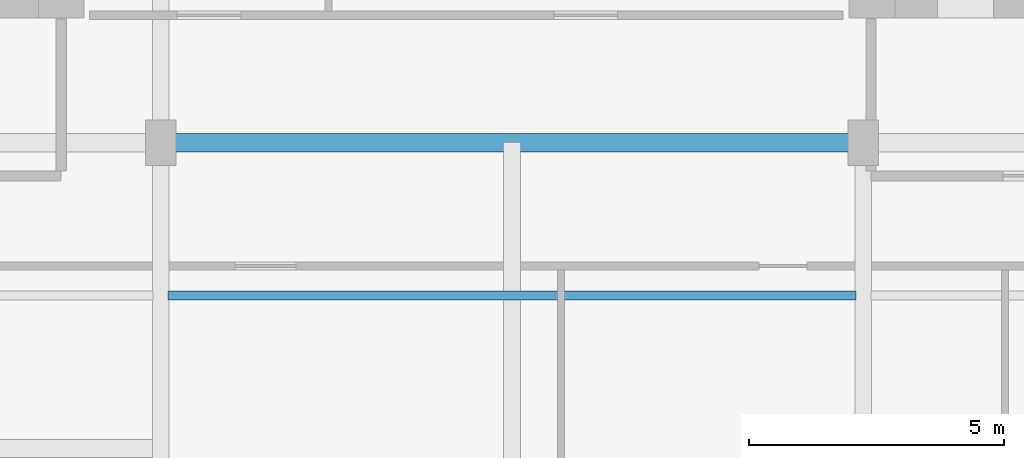
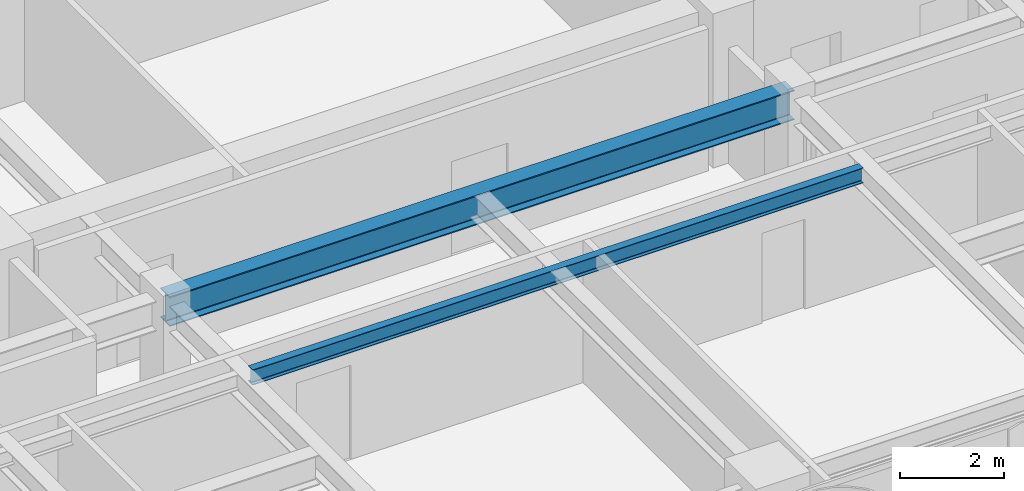
# One storey, part 6 of 25: 2 beams.
"""IFC4 building model written with IfcOpenShell, lengths in metres."""

import ifcopenshell
import ifcopenshell.guid

model = None  # the IFC model being written
_history = None  # IfcOwnerHistory: only IFC2X3 demands one
_inside = {}  # id of a spatial element -> (the spatial element, [elements in it])
_under = {}  # id of a project, library or spatial element -> (it, [spatial elements below it])
_declared = {}  # id of a project -> (the project, [libraries it declares])
_typed = {}  # id of a type object -> (the type object, [elements of that type])
_made_of = {}  # id of a material, layer set ... -> (it, [elements and type objects made of it])


def new_model(schema):
    """Start an empty IFC model of exactly this schema.

    Asked for "IFC4X3", IfcOpenShell would pick the latest addendum, in which some entities
    have other attributes; the version numbers below select the first issue.
    IFC2X3 requires an IfcOwnerHistory on every rooted entity: one is made here for all.
    """
    global model, _history
    if schema == "IFC4X3":
        model = ifcopenshell.file(schema_version=(4, 3, 0, 0))
    else:
        model = ifcopenshell.file(schema=schema)
    _inside.clear()
    _under.clear()
    _declared.clear()
    _typed.clear()
    _made_of.clear()
    _history = None
    if model.schema == "IFC2X3":
        org = make("IfcOrganization", Name="unknown")
        user = make(
            "IfcPersonAndOrganization",
            ThePerson=make("IfcPerson", FamilyName="unknown"),
            TheOrganization=org,
        )
        app = make(
            "IfcApplication",
            ApplicationDeveloper=org,
            Version="unknown",
            ApplicationFullName="unknown",
            ApplicationIdentifier="unknown",
        )
        _history = make(
            "IfcOwnerHistory",
            OwningUser=user,
            OwningApplication=app,
            ChangeAction="ADDED",
            CreationDate=0,
        )
    return model


def make(cls, **values):
    """One entity of the class cls with the attributes given. An attribute that is None is left unset."""
    return model.create_entity(
        cls, **{name: value for name, value in values.items() if value is not None}
    )


def rooted(cls, **values):
    """An entity with a GlobalId (a new one), such as an element, a storey or a relation."""
    return make(cls, GlobalId=ifcopenshell.guid.new(), OwnerHistory=_history, **values)


def si_unit(unit_type, name, prefix=None):
    """IfcSIUnit, for example si_unit("LENGTHUNIT", "METRE", prefix="MILLI")."""
    return make("IfcSIUnit", UnitType=unit_type, Prefix=prefix, Name=name)


def assignment(units):
    """IfcUnitAssignment: the units of a project."""
    return None if units is None else make("IfcUnitAssignment", Units=units)


def point(xyz):
    """IfcCartesianPoint."""
    return None if xyz is None else make("IfcCartesianPoint", Coordinates=xyz)


def direction(xyz):
    """IfcDirection."""
    return None if xyz is None else make("IfcDirection", DirectionRatios=xyz)


def frame(location, z_axis=None, x_axis=None):
    """IfcAxis2Placement3D, a coordinate frame: its origin and axes. An axis left out is left unset."""
    return make(
        "IfcAxis2Placement3D",
        Location=point(location),
        Axis=direction(z_axis),
        RefDirection=direction(x_axis),
    )


def frame_2d(location, x_axis=None):
    """IfcAxis2Placement2D, a coordinate frame in the plane: its origin and x axis."""
    return make(
        "IfcAxis2Placement2D", Location=point(location), RefDirection=direction(x_axis)
    )


def origin():
    """The frame at (0, 0, 0) with its axes left unset."""
    return frame((0.0, 0.0, 0.0))


def origin_2d():
    """The frame at (0, 0) in the plane with its x axis left unset."""
    return frame_2d((0.0, 0.0))


def place(relative_to, where):
    """IfcLocalPlacement: puts the frame where relative to a parent placement (None: the world)."""
    return make(
        "IfcLocalPlacement", PlacementRelTo=relative_to, RelativePlacement=where
    )


def context(
    kind, dimensions, precision=None, world=None, true_north=None, identifier=None
):
    """IfcGeometricRepresentationContext, for example the 3D "Model" context."""
    return make(
        "IfcGeometricRepresentationContext",
        ContextIdentifier=identifier,
        ContextType=kind,
        CoordinateSpaceDimension=dimensions,
        Precision=precision,
        WorldCoordinateSystem=world,
        TrueNorth=true_north,
    )


def subcontext(parent, identifier, kind, view, scale=None):
    """IfcGeometricRepresentationSubContext, for example "Body" below "Model"."""
    return make(
        "IfcGeometricRepresentationSubContext",
        ContextIdentifier=identifier,
        ContextType=kind,
        ParentContext=parent,
        TargetScale=scale,
        TargetView=view,
    )


def project(units=None, contexts=None):
    """IfcProject with its units and contexts."""
    return rooted(
        "IfcProject",
        Name="project",
        RepresentationContexts=contexts,
        UnitsInContext=assignment(units),
    )


def spatial(cls, under=None, at=None, **own):
    """A site, building, storey or space (cls), placed at a placement, below another one or the project."""
    s = rooted(cls, ObjectPlacement=at, **own)
    if under is not None:
        _under.setdefault(under.id(), (under, []))[1].append(s)
    return s


def profile(cls, at=None, kind="AREA", **sizes):
    """A parametric profile (cls). Its sizes go by their IFC names, for example OverallWidth=200.0."""
    return make(cls, ProfileType=kind, Position=at, **sizes)


def i_section(**sizes):
    """IfcIShapeProfileDef."""
    return profile("IfcIShapeProfileDef", **sizes)


def extrude(swept, where, along, depth):
    """IfcExtrudedAreaSolid: the profile swept, set in the frame where, extruded along a direction by depth."""
    return make(
        "IfcExtrudedAreaSolid",
        SweptArea=swept,
        Position=where,
        ExtrudedDirection=direction(along),
        Depth=depth,
    )


def shape(context_of_items, identifier, shape_type, items):
    """IfcShapeRepresentation: the items that make up one representation, for example the "Body"."""
    return make(
        "IfcShapeRepresentation",
        ContextOfItems=context_of_items,
        RepresentationIdentifier=identifier,
        RepresentationType=shape_type,
        Items=items,
    )


def source(mapping_origin, context_of_items, identifier, shape_type, items):
    """IfcRepresentationMap: a shape defined once, which mapped items show again and again."""
    return make(
        "IfcRepresentationMap",
        MappingOrigin=mapping_origin,
        MappedRepresentation=shape(context_of_items, identifier, shape_type, items),
    )


def transform(
    local_origin,
    x_axis=None,
    y_axis=None,
    z_axis=None,
    scale=None,
    scale2=None,
    scale3=None,
    uniform=True,
):
    """IfcCartesianTransformationOperator3D, or its non-uniform kind. x_axis, y_axis, z_axis: its Axis1, 2, 3."""
    if uniform:
        return make(
            "IfcCartesianTransformationOperator3D",
            Axis1=direction(x_axis),
            Axis2=direction(y_axis),
            LocalOrigin=point(local_origin),
            Scale=scale,
            Axis3=direction(z_axis),
        )
    return make(
        "IfcCartesianTransformationOperator3DnonUniform",
        Axis1=direction(x_axis),
        Axis2=direction(y_axis),
        LocalOrigin=point(local_origin),
        Scale=scale,
        Axis3=direction(z_axis),
        Scale2=scale2,
        Scale3=scale3,
    )


def mapped(mapping_source, mapping_target):
    """IfcMappedItem: shows the shape of a source again, moved by a transform."""
    return make(
        "IfcMappedItem", MappingSource=mapping_source, MappingTarget=mapping_target
    )


def material(Name=None, Category=None):
    """IfcMaterial."""
    return make("IfcMaterial", Name=Name, Category=Category)


def material_profile(
    of_material, cross_section, Name=None, Category=None, Priority=None
):
    """IfcMaterialProfile: a cross section and its material."""
    return make(
        "IfcMaterialProfile",
        Name=Name,
        Material=of_material,
        Profile=cross_section,
        Priority=Priority,
        Category=Category,
    )


def profile_set(profiles, Name=None, composite=None):
    """IfcMaterialProfileSet."""
    return make(
        "IfcMaterialProfileSet",
        Name=Name,
        MaterialProfiles=profiles,
        CompositeProfile=composite,
    )


def made_of(thing, what):
    """Note that an element or type object is made of a material, layer set ...; save() writes the relation."""
    if what is not None:
        _made_of.setdefault(what.id(), (what, []))[1].append(thing)
    return thing


def type_object(cls, material=None, **own):
    """A type object (cls), such as IfcWallType, which elements share."""
    return made_of(rooted(cls, **own), material)


def element(
    cls,
    number,
    at=None,
    inside=None,
    cuts=None,
    type_object=None,
    material=None,
    context=None,
    identifier="Body",
    shape_type=None,
    held_by="IfcProductDefinitionShape",
    body=None,
    shapes=None,
    **own,
):
    """One element of the class cls, such as IfcWall. Its Tag is "e" and its number.

    at: its placement. inside: the storey or other place that contains it. cuts: it is an
    opening in that element (IfcRelVoidsElement). A single representation is given by context,
    identifier, shape_type and body (its items); several are given by shapes. held_by: the class
    of the entity that holds the representations. save() writes the other relations.
    """
    e = rooted(cls, Tag="e%d" % number, ObjectPlacement=at, **own)
    if body is not None:
        shapes = [shape(context, identifier, shape_type, body)]
    if shapes is not None:
        e.Representation = make(held_by, Representations=shapes)
    if inside is not None:
        _inside.setdefault(inside.id(), (inside, []))[1].append(e)
    if cuts is not None:
        rooted(
            "IfcRelVoidsElement", RelatingBuildingElement=cuts, RelatedOpeningElement=e
        )
    if type_object is not None:
        _typed.setdefault(type_object.id(), (type_object, []))[1].append(e)
    return made_of(e, material)


def aggregate(whole, parts):
    """IfcRelAggregates: a whole, such as a stair, and the parts it consists of."""
    return rooted("IfcRelAggregates", RelatingObject=whole, RelatedObjects=parts)


def save(model, path):
    """Write the relations noted so far, then the file.

    IfcRelAggregates (storeys below a building ...), IfcRelContainedInSpatialStructure (elements
    in a storey), IfcRelDefinesByType, IfcRelAssociatesMaterial and IfcRelDeclares: one each for
    every whole, place, type object, material and project.
    """
    for whole, parts in _under.values():
        aggregate(whole, parts)
    for where, things in _inside.values():
        rooted(
            "IfcRelContainedInSpatialStructure",
            RelatedElements=things,
            RelatingStructure=where,
        )
    for kind, things in _typed.values():
        rooted("IfcRelDefinesByType", RelatedObjects=things, RelatingType=kind)
    for what, things in _made_of.values():
        rooted("IfcRelAssociatesMaterial", RelatedObjects=things, RelatingMaterial=what)
    for by, libraries in _declared.values():
        rooted("IfcRelDeclares", RelatingContext=by, RelatedDefinitions=libraries)
    model.write(path)


model = new_model("IFC4")

# Units and contexts
model_context = context("Model", 3, precision=1e-05, world=origin(), true_north=direction((0.0, 1.0)))
body_context = subcontext(model_context, "Body", "Model", "MODEL_VIEW")
ifc_project = project(units=[si_unit("LENGTHUNIT", "METRE"), si_unit("AREAUNIT", "SQUARE_METRE"), si_unit("VOLUMEUNIT", "CUBIC_METRE"), si_unit("PLANEANGLEUNIT", "RADIAN"), si_unit("MASSUNIT", "GRAM", prefix="KILO")], contexts=[model_context])

# Site, building, storey
site_placement = place(None, origin())
site = spatial("IfcSite", under=ifc_project, at=site_placement, CompositionType="ELEMENT")
building_placement = place(site_placement, origin())
building = spatial("IfcBuilding", under=site, at=building_placement, Name="Khoralis Quay Care Tower", CompositionType="ELEMENT")
storey_placement = place(building_placement, frame((0.0, 0.0, 51.300048828125)))
storey = spatial("IfcBuildingStorey", under=building, at=storey_placement, Name="L13", CompositionType="ELEMENT", Elevation=51.300048828125)

# Beams
ifc_material = material(Name="Steel S355", Category="steel")
ifc_material_profile_1 = material_profile(ifc_material, i_section(OverallWidth=0.35498046875, OverallDepth=0.695068359375, WebThickness=0.015380859375, FlangeThickness=0.02490234375, FilletRadius=0.02001953125, at=origin_2d()), Name="Steel S355")
ifc_profile_set_1 = profile_set([ifc_material_profile_1], Name="Steel S355")
beam_type_1 = type_object("IfcBeamType", Name="BM-W690X217", PredefinedType="BEAM", material=ifc_profile_set_1)
shared_shape_1 = source(origin(), body_context, "Body", "SweptSolid", [
    extrude(i_section(OverallWidth=0.35498046875, OverallDepth=0.695068359375, WebThickness=0.015380859375, FlangeThickness=0.02490234375, FilletRadius=0.02001953125, at=origin_2d()), origin(), (0.0, 0.0, 1.0), 13.7998046875),
])
beam_1_placement = place(storey_placement, frame((17.10009765625, 12.0, 2.972412109375), z_axis=(1.0, 0.0, 0.0), x_axis=(0.0, 1.0, 0.0)))
element("IfcBeam", 1, at=beam_1_placement, inside=storey, type_object=beam_type_1, Name="BM-TGCC-L13-120", PredefinedType="BEAM", context=body_context, shape_type="MappedRepresentation", body=[
    mapped(shared_shape_1, transform((0.0, 0.0, 0.0), scale=1.0)),
])
ifc_material_profile_2 = material_profile(ifc_material, i_section(OverallWidth=0.1708984375, OverallDepth=0.35498046875, WebThickness=0.007080078125, FlangeThickness=0.01171875, FilletRadius=0.012939453125, at=origin_2d()), Name="Steel S355")
ifc_profile_set_2 = profile_set([ifc_material_profile_2], Name="Steel S355")
beam_type_2 = type_object("IfcBeamType", Name="BM-W360X51", PredefinedType="JOIST", material=ifc_profile_set_2)
shared_shape_2 = source(origin(), body_context, "Body", "SweptSolid", [
    extrude(i_section(OverallWidth=0.1708984375, OverallDepth=0.35498046875, WebThickness=0.007080078125, FlangeThickness=0.01171875, FilletRadius=0.012939453125, at=origin_2d()), origin(), (0.0, 0.0, 1.0), 13.4990234375),
])
beam_2_placement = place(storey_placement, frame((17.25048828125, 9.0, 3.142333984375), z_axis=(1.0, 0.0, 0.0), x_axis=(0.0, 1.0, 0.0)))
element("IfcBeam", 2, at=beam_2_placement, inside=storey, type_object=beam_type_2, Name="BM-TJS-L13-31", PredefinedType="JOIST", context=body_context, shape_type="MappedRepresentation", body=[
    mapped(shared_shape_2, transform((0.0, 0.0, 0.0), scale=1.0)),
])

save(model, "model.ifc")
